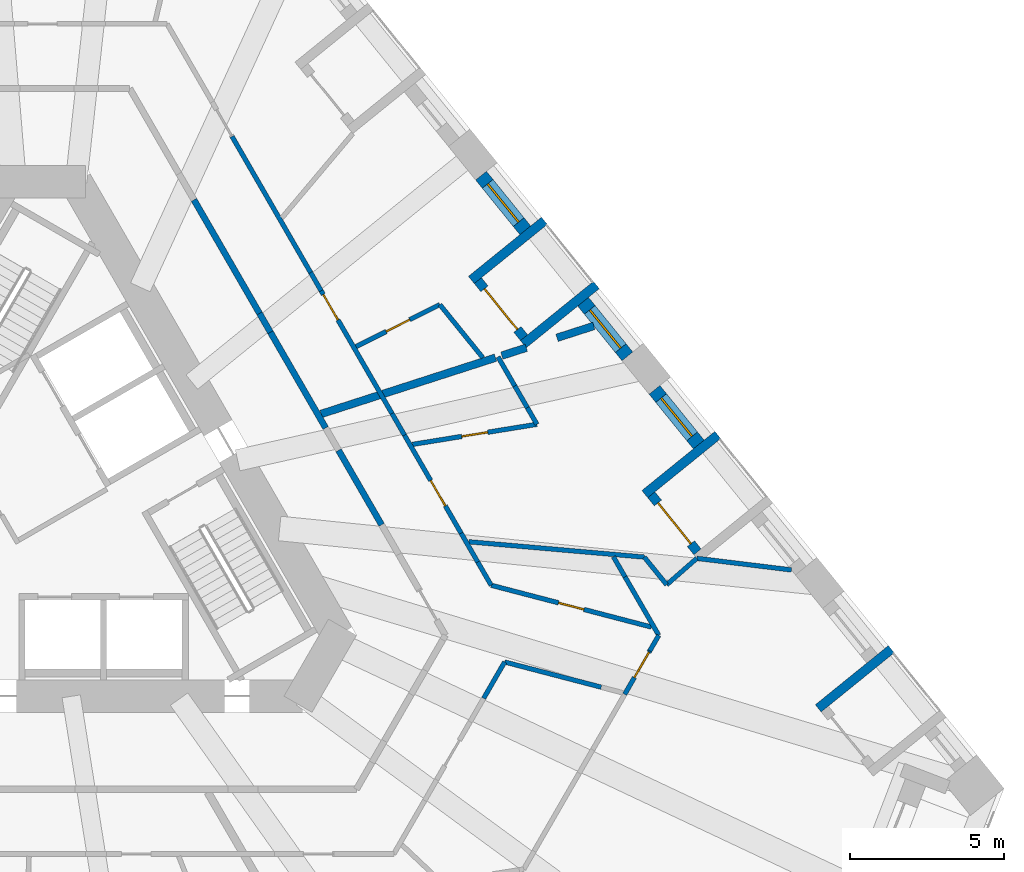
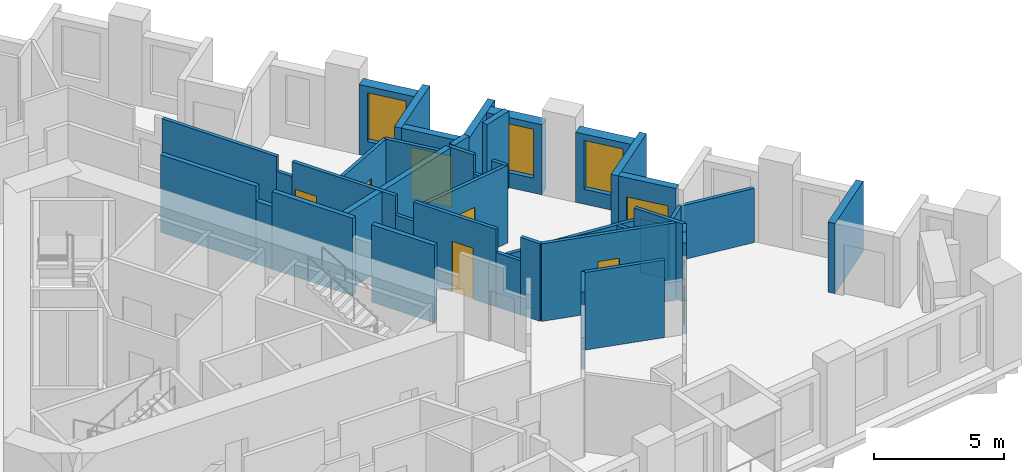
# One storey, part 7 of 14: 40 walls, 8 doors, 3 windows, 11 openings.
"""IFC4 building model written with IfcOpenShell, lengths in metres."""

from ifc_helpers import new_model, si_unit, direction, frame, frame_2d, origin, place, context, subcontext, project, spatial, polyline, rectangle, outline, extrude, material, layer, layer_set, type_object, element, fill, save


model = new_model("IFC4")

# Units and contexts
model_context = context("Model", 3, precision=1e-05, world=origin(), true_north=direction((0.0, 1.0)))
body_context = subcontext(model_context, "Body", "Model", "MODEL_VIEW")
ifc_project = project(units=[si_unit("LENGTHUNIT", "METRE"), si_unit("AREAUNIT", "SQUARE_METRE"), si_unit("VOLUMEUNIT", "CUBIC_METRE"), si_unit("PLANEANGLEUNIT", "RADIAN"), si_unit("MASSUNIT", "GRAM", prefix="KILO")], contexts=[model_context])

# Site, building, storey
site_placement = place(None, origin())
site = spatial("IfcSite", under=ifc_project, at=site_placement, CompositionType="ELEMENT")
building_placement = place(site_placement, origin())
building = spatial("IfcBuilding", under=site, at=building_placement, Name="Tramontana Tower", CompositionType="ELEMENT")
storey_placement = place(building_placement, frame((0.0, 0.0, 79.199951171875)))
storey = spatial("IfcBuildingStorey", under=building, at=storey_placement, Name="L17", CompositionType="ELEMENT", Elevation=79.199951171875)

# Walls
ifc_material_1 = material(Name="Blockwork", Category="masonry")
ifc_layer_1 = layer(ifc_material_1, 0.199951171875)
ifc_layer_set_1 = layer_set([ifc_layer_1], Name="ENTRY WALL 200")
wall_type_1 = type_object("IfcWallType", Name="ENTRY WALL 200", PredefinedType="SOLIDWALL", material=ifc_layer_set_1)
wall_1_placement = place(storey_placement, frame((4.97265625, 9.88720703125, 0.0), z_axis=(0.0, 0.0, 1.0), x_axis=(0.500000470374, -0.866025132214, 0.0)))
element("IfcWall", 1, at=wall_1_placement, inside=storey, type_object=wall_type_1, Name="Wall v12-ew0-2", PredefinedType="SOLIDWALL", context=body_context, shape_type="SweptSolid", body=[
    extrude(rectangle(XDim=4.2568359375, YDim=0.199951171875, at=frame_2d((2.12841796875, 0.0))), origin(), (0.0, 0.0, 1.0), 3.650146484375),
])
wall_2_placement = place(storey_placement, frame((7.10107421875, 6.20068359375, 0.0), z_axis=(0.0, 0.0, 1.0), x_axis=(0.499881507708, -0.866093804534, 0.0)))
element("IfcWall", 2, at=wall_2_placement, inside=storey, type_object=wall_type_1, Name="Wall v12-ew0-3", PredefinedType="SOLIDWALL", context=body_context, shape_type="SweptSolid", body=[
    extrude(rectangle(XDim=0.708740234375, YDim=0.199951171875, at=frame_2d((0.3544921875, 0.0))), origin(), (0.0, 0.0, 1.0), 2.949951171875),
])
wall_3_placement = place(storey_placement, frame((7.455322265625, 5.5869140625, 0.0), z_axis=(0.0, 0.0, 1.0), x_axis=(0.500013241293, -0.866017758786, 0.0)))
element("IfcWall", 3, at=wall_3_placement, inside=storey, type_object=wall_type_1, Name="Wall v12-ew0-4", PredefinedType="SOLIDWALL", context=body_context, shape_type="SweptSolid", body=[
    extrude(rectangle(XDim=3.58544921875, YDim=0.199951171875, at=frame_2d((1.792724609375, 0.0))), origin(), (0.0, 0.0, 1.0), 3.650146484375),
])
wall_4_placement = place(storey_placement, frame((9.667236328125, 1.756103515625, 0.0), z_axis=(0.0, 0.0, 1.0), x_axis=(0.499964529649, -0.866045881633, 0.0)))
element("IfcWall", 4, at=wall_4_placement, inside=storey, type_object=wall_type_1, Name="Wall v12-ew0-6", PredefinedType="SOLIDWALL", context=body_context, shape_type="SweptSolid", body=[
    extrude(rectangle(XDim=2.793701171875, YDim=0.199951171875, at=frame_2d((1.39697265625, 0.0))), origin(), (0.0, 0.0, 1.0), 3.650146484375),
])

# Wall, opening, window
ifc_material_2 = material(Name="Precast concrete 60 MPa", Category="concrete")
ifc_layer_2 = layer(ifc_material_2, 0.449951171875)
ifc_layer_set_2 = layer_set([ifc_layer_2], Name="Precast concrete 60 MPa, 450 mm")
wall_type_2 = type_object("IfcWallType", Name="EW1 Stone-faced precast wall 450", PredefinedType="SOLIDWALL", material=ifc_layer_set_2)
wall_5_placement = place(storey_placement, frame((21.361572265625, 1.94482421875, 0.0), z_axis=(0.0, 0.0, 1.0), x_axis=(-0.629339730135, 0.777130300576, 0.0)))
wall_5 = element("IfcWall", 5, at=wall_5_placement, inside=storey, type_object=wall_type_2, Name="External wall L17 face 2 bay 2", PredefinedType="SOLIDWALL", context=body_context, shape_type="SweptSolid", body=[
    extrude(rectangle(XDim=2.282958984375, YDim=0.449951171875, at=frame_2d((1.1416015625, 0.0))), origin(), (0.0, 0.0, 1.0), 3.300048828125),
])
opening_1_placement = place(wall_5_placement, frame((0.341552734375, 0.0, 0.699951171875)))
opening_1 = element("IfcOpeningElement", 6, at=opening_1_placement, cuts=wall_5, Name="Opening M1", PredefinedType="OPENING", context=body_context, shape_type="SweptSolid", body=[
    extrude(rectangle(XDim=1.60009765625, YDim=2.300048828125, at=frame_2d((0.800048828125, 1.14990234375))), frame((0.0, 0.23486328125, 0.0), z_axis=(0.0, -1.0, 0.0), x_axis=(1.0, 0.0, 0.0)), (0.0, 0.0, 1.0), 0.469970703125),
])
ifc_material_3 = material(Name="Aluminum frame, double glazing unit", Category="aluminium")
window_type = type_object("IfcWindowType", Name="M1 Window 1.6 x 2.3", PartitioningType="SINGLE_PANEL", PredefinedType="WINDOW", material=ifc_material_3)
window_1_placement = place(opening_1_placement, origin())
window_1 = element("IfcWindow", 7, at=window_1_placement, inside=storey, type_object=window_type, Name="Window M1 L17 face 2 module 6", OverallHeight=2.300048828125, OverallWidth=1.60009765625, PartitioningType="SINGLE_PANEL", PredefinedType="WINDOW", context=body_context, shape_type="SweptSolid", body=[
    extrude(rectangle(XDim=1.60009765625, YDim=2.300048828125, at=frame_2d((0.800048828125, 1.14990234375))), frame((0.0, 0.030029296875, 0.0), z_axis=(0.0, -1.0, 0.0), x_axis=(1.0, 0.0, 0.0)), (0.0, 0.0, 1.0), 0.06005859375),
])
fill(opening_1, window_1)

wall_6_placement = place(storey_placement, frame((19.0439453125, 4.80712890625, 0.0), z_axis=(0.0, 0.0, 1.0), x_axis=(-0.629339730135, 0.777130300576, 0.0)))
wall_6 = element("IfcWall", 8, at=wall_6_placement, inside=storey, type_object=wall_type_2, Name="External wall L17 face 2 bay 3", PredefinedType="SOLIDWALL", context=body_context, shape_type="SweptSolid", body=[
    extrude(rectangle(XDim=2.282958984375, YDim=0.449951171875, at=frame_2d((1.1416015625, 0.0))), origin(), (0.0, 0.0, 1.0), 3.300048828125),
])
opening_2_placement = place(wall_6_placement, frame((0.341552734375, 0.0, 0.699951171875)))
opening_2 = element("IfcOpeningElement", 9, at=opening_2_placement, cuts=wall_6, Name="Opening M1", PredefinedType="OPENING", context=body_context, shape_type="SweptSolid", body=[
    extrude(rectangle(XDim=1.60009765625, YDim=2.300048828125, at=frame_2d((0.800048828125, 1.14990234375))), frame((0.0, 0.23486328125, 0.0), z_axis=(0.0, -1.0, 0.0), x_axis=(1.0, 0.0, 0.0)), (0.0, 0.0, 1.0), 0.469970703125),
])
window_2_placement = place(opening_2_placement, origin())
window_2 = element("IfcWindow", 10, at=window_2_placement, inside=storey, type_object=window_type, Name="Window M1 L17 face 2 module 7", OverallHeight=2.300048828125, OverallWidth=1.60009765625, PartitioningType="SINGLE_PANEL", PredefinedType="WINDOW", context=body_context, shape_type="SweptSolid", body=[
    extrude(rectangle(XDim=1.60009765625, YDim=2.300048828125, at=frame_2d((0.800048828125, 1.14990234375))), frame((0.0, 0.030029296875, 0.0), z_axis=(0.0, -1.0, 0.0), x_axis=(1.0, 0.0, 0.0)), (0.0, 0.0, 1.0), 0.06005859375),
])
fill(opening_2, window_2)

wall_7_placement = place(storey_placement, frame((15.72998046875, 8.8994140625, 0.0), z_axis=(0.0, 0.0, 1.0), x_axis=(-0.629339730135, 0.777130300576, 0.0)))
wall_7 = element("IfcWall", 11, at=wall_7_placement, inside=storey, type_object=wall_type_2, Name="External wall L17 face 2 bay 3", PredefinedType="SOLIDWALL", context=body_context, shape_type="SweptSolid", body=[
    extrude(rectangle(XDim=2.282958984375, YDim=0.449951171875, at=frame_2d((1.1416015625, 0.0))), origin(), (0.0, 0.0, 1.0), 3.300048828125),
])
opening_3_placement = place(wall_7_placement, frame((0.341552734375, 0.0, 0.699951171875)))
opening_3 = element("IfcOpeningElement", 12, at=opening_3_placement, cuts=wall_7, Name="Opening M1", PredefinedType="OPENING", context=body_context, shape_type="SweptSolid", body=[
    extrude(rectangle(XDim=1.60009765625, YDim=2.300048828125, at=frame_2d((0.800048828125, 1.14990234375))), frame((0.0, 0.23486328125, 0.0), z_axis=(0.0, -1.0, 0.0), x_axis=(1.0, 0.0, 0.0)), (0.0, 0.0, 1.0), 0.469970703125),
])
window_3_placement = place(opening_3_placement, origin())
window_3 = element("IfcWindow", 13, at=window_3_placement, inside=storey, type_object=window_type, Name="Window M1 L17 face 2 module 9", OverallHeight=2.300048828125, OverallWidth=1.60009765625, PartitioningType="SINGLE_PANEL", PredefinedType="WINDOW", context=body_context, shape_type="SweptSolid", body=[
    extrude(rectangle(XDim=1.60009765625, YDim=2.300048828125, at=frame_2d((0.800048828125, 1.14990234375))), frame((0.0, 0.030029296875, 0.0), z_axis=(0.0, -1.0, 0.0), x_axis=(1.0, 0.0, 0.0)), (0.0, 0.0, 1.0), 0.06005859375),
])
fill(opening_3, window_3)

# Wall
ifc_material_4 = material(Name="Precast concrete 60 MPa", Category="concrete")
ifc_layer_3 = layer(ifc_material_4, 0.300048828125)
ifc_layer_set_3 = layer_set([ifc_layer_3], Name="LW1 Stone-faced loggia wall 300")
wall_type_3 = type_object("IfcWallType", Name="LW1 Stone-faced loggia wall 300", PredefinedType="SOLIDWALL", material=ifc_layer_set_3)
wall_8_placement = place(storey_placement, frame((27.6123046875, -4.70166015625, 0.0), z_axis=(0.0, 0.0, 1.0), x_axis=(-0.777153523895, -0.629311052102, 0.0)))
element("IfcWall", 14, at=wall_8_placement, inside=storey, type_object=wall_type_3, Name="Loggia return L17 G1S2.1b", PredefinedType="SOLIDWALL", context=body_context, shape_type="SweptSolid", body=[
    extrude(rectangle(XDim=3.050048828125, YDim=0.300048828125, at=frame_2d((1.52490234375, 0.0))), origin(), (0.0, 0.0, 1.0), 3.300048828125),
])

# Wall, opening, door
wall_9_placement = place(storey_placement, frame((21.32080078125, -1.54052734375, 0.0), z_axis=(0.0, 0.0, 1.0), x_axis=(-0.629257171563, 0.777197151331, 0.0)))
wall_9 = element("IfcWall", 15, at=wall_9_placement, inside=storey, type_object=wall_type_3, Name="Loggia wall L17 G1S2.4", PredefinedType="SOLIDWALL", context=body_context, shape_type="SweptSolid", body=[
    extrude(rectangle(XDim=2.383056640625, YDim=0.300048828125, at=frame_2d((1.19140625, 0.0))), origin(), (0.0, 0.0, 1.0), 3.300048828125),
])
opening_4_placement = place(wall_9_placement, frame((0.341552734375, 0.0, 0.0)))
opening_4 = element("IfcOpeningElement", 16, at=opening_4_placement, cuts=wall_9, Name="Opening BD-1S2-04", PredefinedType="OPENING", context=body_context, shape_type="SweptSolid", body=[
    extrude(rectangle(XDim=1.699951171875, YDim=2.39990234375, at=frame_2d((0.85009765625, 1.199951171875))), frame((0.0, 0.159912109375, 0.0), z_axis=(0.0, -1.0, 0.0), x_axis=(1.0, 0.0, 0.0)), (0.0, 0.0, 1.0), 0.320068359375),
])
ifc_material_5 = material(Name="Aluminum frame, double glazing unit", Category="aluminium")
door_type_1 = type_object("IfcDoorType", Name="BD1 Sliding door 1.7 x 2.4", OperationType="SLIDING_TO_LEFT", PredefinedType="DOOR", material=ifc_material_5)
door_1_placement = place(opening_4_placement, origin())
door_1 = element("IfcDoor", 17, at=door_1_placement, inside=storey, type_object=door_type_1, Name="Loggia door L17 G1S2.4", OperationType="SLIDING_TO_LEFT", OverallHeight=2.39990234375, OverallWidth=1.699951171875, PredefinedType="DOOR", context=body_context, shape_type="SweptSolid", body=[
    extrude(rectangle(XDim=1.699951171875, YDim=2.39990234375, at=frame_2d((0.85009765625, 1.199951171875))), frame((0.0, 0.02490234375, 0.0), z_axis=(0.0, -1.0, 0.0), x_axis=(1.0, 0.0, 0.0)), (0.0, 0.0, 1.0), 0.050048828125),
])
fill(opening_4, door_1)

# Wall
wall_10_placement = place(storey_placement, frame((21.98046875, 2.2529296875, 0.0), z_axis=(0.0, 0.0, 1.0), x_axis=(-0.777121820661, -0.629350201281, 0.0)))
element("IfcWall", 18, at=wall_10_placement, inside=storey, type_object=wall_type_3, Name="Loggia return L17 G1S2.4b", PredefinedType="SOLIDWALL", context=body_context, shape_type="SweptSolid", body=[
    extrude(rectangle(XDim=3.0498046875, YDim=0.300048828125, at=frame_2d((1.52490234375, 0.0))), origin(), (0.0, 0.0, 1.0), 3.300048828125),
])

# Wall, opening, door
wall_11_placement = place(storey_placement, frame((15.689208984375, 5.4140625, 0.0), z_axis=(0.0, 0.0, 1.0), x_axis=(-0.629319049918, 0.777147047482, 0.0)))
wall_11 = element("IfcWall", 19, at=wall_11_placement, inside=storey, type_object=wall_type_3, Name="Loggia wall L17 G1S2.7", PredefinedType="SOLIDWALL", context=body_context, shape_type="SweptSolid", body=[
    extrude(rectangle(XDim=2.383056640625, YDim=0.300048828125, at=frame_2d((1.19140625, 0.0))), origin(), (0.0, 0.0, 1.0), 3.300048828125),
])
opening_5_placement = place(wall_11_placement, frame((0.341552734375, 0.0, 0.0)))
opening_5 = element("IfcOpeningElement", 20, at=opening_5_placement, cuts=wall_11, Name="Opening BD-1S2-07", PredefinedType="OPENING", context=body_context, shape_type="SweptSolid", body=[
    extrude(rectangle(XDim=1.699951171875, YDim=2.39990234375, at=frame_2d((0.85009765625, 1.199951171875))), frame((0.0, 0.159912109375, 0.0), z_axis=(0.0, -1.0, 0.0), x_axis=(1.0, 0.0, 0.0)), (0.0, 0.0, 1.0), 0.320068359375),
])
door_2_placement = place(opening_5_placement, origin())
door_2 = element("IfcDoor", 21, at=door_2_placement, inside=storey, type_object=door_type_1, Name="Loggia door L17 G1S2.7", OperationType="SLIDING_TO_LEFT", OverallHeight=2.39990234375, OverallWidth=1.699951171875, PredefinedType="DOOR", context=body_context, shape_type="SweptSolid", body=[
    extrude(rectangle(XDim=1.699951171875, YDim=2.39990234375, at=frame_2d((0.85009765625, 1.199951171875))), frame((0.0, 0.02490234375, 0.0), z_axis=(0.0, -1.0, 0.0), x_axis=(1.0, 0.0, 0.0)), (0.0, 0.0, 1.0), 0.050048828125),
])
fill(opening_5, door_2)

# Walls
for number, where, z_axis, x_axis, name in (
    (22, (18.037353515625, 7.12255859375, 0.0), (0.0, 0.0, 1.0), (-0.777153523895, -0.629311052102, 0.0), "Loggia return L17 G1S2.7a"),
    (23, (16.348876953125, 9.207763671875, 0.0), (0.0, 0.0, 1.0), (-0.777153523895, -0.629311052102, 0.0), "Loggia return L17 G1S2.7b"),
):
    element("IfcWall", number, at=place(storey_placement, frame(where, z_axis=z_axis, x_axis=x_axis)), inside=storey, type_object=wall_type_3, Name=name, PredefinedType="SOLIDWALL", context=body_context, shape_type="SweptSolid", body=[
        extrude(rectangle(XDim=3.050048828125, YDim=0.300048828125, at=frame_2d((1.52490234375, 0.0))), origin(), (0.0, 0.0, 1.0), 3.300048828125),
    ])
ifc_material_6 = material(Name="Gypsum board partition")
ifc_layer_4 = layer(ifc_material_6, 0.14990234375)
ifc_layer_set_4 = layer_set([ifc_layer_4], Name="PARTITION 150")
wall_type_4 = type_object("IfcWallType", Name="PARTITION 150", PredefinedType="PARTITIONING", material=ifc_layer_set_4)
wall_12_placement = place(storey_placement, frame((6.208740234375, 11.946044921875, 0.0), z_axis=(0.0, 0.0, 1.0), x_axis=(0.500024842346, -0.866011060574, 0.0)))
element("IfcWall", 24, at=wall_12_placement, inside=storey, type_object=wall_type_4, Name="Wall v12-pw26-2", PredefinedType="PARTITIONING", context=body_context, shape_type="SweptSolid", body=[
    extrude(rectangle(XDim=5.101806640625, YDim=0.14990234375, at=frame_2d((2.55078125, 0.0))), origin(), (0.0, 0.0, 1.0), 3.650146484375),
])
wall_13_placement = place(storey_placement, frame((8.759765625, 7.52783203125, 0.0), z_axis=(0.0, 0.0, 1.0), x_axis=(0.499712146016, -0.866191532586, 0.0)))
element("IfcWall", 25, at=wall_13_placement, inside=storey, type_object=wall_type_4, Name="Wall v12-pw26-3", PredefinedType="PARTITIONING", context=body_context, shape_type="SweptSolid", body=[
    extrude(rectangle(XDim=0.68359375, YDim=0.14990234375, at=frame_2d((0.341796875, 0.0))), origin(), (0.0, 0.0, 1.0), 2.949951171875),
])

# Wall, opening, door
wall_14_placement = place(storey_placement, frame((9.101318359375, 6.935791015625, 0.0), z_axis=(0.0, 0.0, 1.0), x_axis=(0.500008794324, -0.866020326319, 0.0)))
wall_14 = element("IfcWall", 26, at=wall_14_placement, inside=storey, type_object=wall_type_4, Name="Wall v12-pw26-4", PredefinedType="PARTITIONING", context=body_context, shape_type="SweptSolid", body=[
    extrude(rectangle(XDim=4.6005859375, YDim=0.14990234375, at=frame_2d((2.30029296875, 0.0))), origin(), (0.0, 0.0, 1.0), 3.650146484375),
])
opening_6_placement = place(wall_14_placement, frame((0.139892578125, 0.0, 0.0)))
opening_6 = element("IfcOpeningElement", 27, at=opening_6_placement, cuts=wall_14, Name="Opening B1C-05", PredefinedType="OPENING", context=body_context, shape_type="SweptSolid", body=[
    extrude(rectangle(XDim=0.949951171875, YDim=2.39990234375, at=frame_2d((0.47509765625, 1.199951171875))), frame((0.0, 0.0849609375, 0.0), z_axis=(0.0, -1.0, 0.0), x_axis=(1.0, 0.0, 0.0)), (0.0, 0.0, 1.0), 0.169921875),
])
ifc_material_7 = material(Name="Painted timber", Category="wood")
door_type_2 = type_object("IfcDoorType", Name="DOOR ROOM 950", OperationType="SINGLE_SWING_LEFT", PredefinedType="DOOR", material=ifc_material_7)
door_3_placement = place(opening_6_placement, origin())
door_3 = element("IfcDoor", 28, at=door_3_placement, inside=storey, type_object=door_type_2, Name="Door B1C-05", OperationType="SINGLE_SWING_LEFT", OverallHeight=2.39990234375, OverallWidth=0.949951171875, PredefinedType="DOOR", context=body_context, shape_type="SweptSolid", body=[
    extrude(rectangle(XDim=0.949951171875, YDim=2.39990234375, at=frame_2d((0.47509765625, 1.199951171875))), frame((0.0, 0.02490234375, 0.0), z_axis=(0.0, -1.0, 0.0), x_axis=(1.0, 0.0, 0.0)), (0.0, 0.0, 1.0), 0.050048828125),
])
fill(opening_6, door_3)

# Wall
wall_15_placement = place(storey_placement, frame((11.401611328125, 2.95166015625, 0.0), z_axis=(0.0, 0.0, 1.0), x_axis=(0.500147393723, -0.865940289253, 0.0)))
element("IfcWall", 29, at=wall_15_placement, inside=storey, type_object=wall_type_4, Name="Wall v12-pw26-5", PredefinedType="PARTITIONING", context=body_context, shape_type="SweptSolid", body=[
    extrude(rectangle(XDim=0.812255859375, YDim=0.14990234375, at=frame_2d((0.40625, 0.0))), origin(), (0.0, 0.0, 1.0), 2.75),
])

# Wall, opening, door
wall_16_placement = place(storey_placement, frame((11.807861328125, 2.248291015625, 0.0), z_axis=(0.0, 0.0, 1.0), x_axis=(0.500002145574, -0.866024165033, 0.0)))
wall_16 = element("IfcWall", 30, at=wall_16_placement, inside=storey, type_object=wall_type_4, Name="Wall v12-pw26-6", PredefinedType="PARTITIONING", context=body_context, shape_type="SweptSolid", body=[
    extrude(rectangle(XDim=3.67724609375, YDim=0.14990234375, at=frame_2d((1.838623046875, 0.0))), origin(), (0.0, 0.0, 1.0), 3.650146484375),
])
opening_7_placement = place(wall_16_placement, frame((1.69970703125, 0.0, 0.0)))
opening_7 = element("IfcOpeningElement", 31, at=opening_7_placement, cuts=wall_16, Name="Opening B1C-22", PredefinedType="OPENING", context=body_context, shape_type="SweptSolid", body=[
    extrude(rectangle(XDim=0.949951171875, YDim=2.39990234375, at=frame_2d((0.47509765625, 1.199951171875))), frame((0.0, 0.0849609375, 0.0), z_axis=(0.0, -1.0, 0.0), x_axis=(1.0, 0.0, 0.0)), (0.0, 0.0, 1.0), 0.169921875),
])
door_4_placement = place(opening_7_placement, origin())
door_4 = element("IfcDoor", 32, at=door_4_placement, inside=storey, type_object=door_type_2, Name="Door B1C-22", OperationType="SINGLE_SWING_RIGHT", OverallHeight=2.39990234375, OverallWidth=0.949951171875, PredefinedType="DOOR", context=body_context, shape_type="SweptSolid", body=[
    extrude(rectangle(XDim=0.949951171875, YDim=2.39990234375, at=frame_2d((0.47509765625, 1.199951171875))), frame((0.0, 0.02490234375, 0.0), z_axis=(0.0, -1.0, 0.0), x_axis=(1.0, 0.0, 0.0)), (0.0, 0.0, 1.0), 0.050048828125),
])
fill(opening_7, door_4)

# Walls
wall_17_placement = place(storey_placement, frame((13.646484375, -0.936279296875, 0.0), z_axis=(0.0, 0.0, 1.0), x_axis=(0.499938053331, -0.866061165757, 0.0)))
element("IfcWall", 33, at=wall_17_placement, inside=storey, type_object=wall_type_4, Name="Wall v12-pw26-7", PredefinedType="PARTITIONING", context=body_context, shape_type="SweptSolid", body=[
    extrude(rectangle(XDim=1.078369140625, YDim=0.14990234375, at=frame_2d((0.5390625, 0.0))), origin(), (0.0, 0.0, 1.0), 2.550048828125),
])
wall_18_placement = place(storey_placement, frame((14.185546875, -1.8701171875, 0.0), z_axis=(0.0, 0.0, 1.0), x_axis=(0.500053675867, -0.86599441179, 0.0)))
element("IfcWall", 34, at=wall_18_placement, inside=storey, type_object=wall_type_4, Name="Wall v12-pw26-8", PredefinedType="PARTITIONING", context=body_context, shape_type="SweptSolid", body=[
    extrude(rectangle(XDim=0.8720703125, YDim=0.14990234375, at=frame_2d((0.43603515625, 0.0))), origin(), (0.0, 0.0, 1.0), 3.650146484375),
])

# Wall, opening, door
wall_19_placement = place(storey_placement, frame((12.9541015625, 6.487060546875, 0.0), z_axis=(0.0, 0.0, 1.0), x_axis=(-0.89415419639, -0.447759168613, 0.0)))
wall_19 = element("IfcWall", 35, at=wall_19_placement, inside=storey, type_object=wall_type_4, Name="Wall v12-pw33", PredefinedType="PARTITIONING", context=body_context, shape_type="SweptSolid", body=[
    extrude(rectangle(XDim=3.04248046875, YDim=0.14990234375, at=frame_2d((1.521240234375, 0.0))), origin(), (0.0, 0.0, 1.0), 3.650146484375),
])
opening_8_placement = place(wall_19_placement, frame((1.09619140625, 0.0, 0.0)))
opening_8 = element("IfcOpeningElement", 36, at=opening_8_placement, cuts=wall_19, Name="Opening B1C-07", PredefinedType="OPENING", context=body_context, shape_type="SweptSolid", body=[
    extrude(rectangle(XDim=0.85009765625, YDim=2.39990234375, at=frame_2d((0.425048828125, 1.199951171875))), frame((0.0, 0.0849609375, 0.0), z_axis=(0.0, -1.0, 0.0), x_axis=(1.0, 0.0, 0.0)), (0.0, 0.0, 1.0), 0.169921875),
])
ifc_material_8 = material(Name="Painted timber", Category="wood")
door_type_3 = type_object("IfcDoorType", Name="DOOR BATH 850", OperationType="SINGLE_SWING_LEFT", PredefinedType="DOOR", material=ifc_material_8)
door_5_placement = place(opening_8_placement, origin())
door_5 = element("IfcDoor", 37, at=door_5_placement, inside=storey, type_object=door_type_3, Name="Door B1C-07", OperationType="SINGLE_SWING_LEFT", OverallHeight=2.39990234375, OverallWidth=0.85009765625, PredefinedType="DOOR", context=body_context, shape_type="SweptSolid", body=[
    extrude(rectangle(XDim=0.85009765625, YDim=2.39990234375, at=frame_2d((0.425048828125, 1.199951171875))), frame((0.0, 0.02490234375, 0.0), z_axis=(0.0, -1.0, 0.0), x_axis=(1.0, 0.0, 0.0)), (0.0, 0.0, 1.0), 0.050048828125),
])
fill(opening_8, door_5)

# Walls
wall_20_placement = place(storey_placement, frame((12.954345703125, 6.487060546875, 0.0), z_axis=(0.0, 0.0, 1.0), x_axis=(0.629286855042, -0.777173117182, 0.0)))
element("IfcWall", 38, at=wall_20_placement, inside=storey, type_object=wall_type_4, Name="Wall v12-pw35", PredefinedType="PARTITIONING", context=body_context, shape_type="SweptSolid", body=[
    extrude(rectangle(XDim=2.21875, YDim=0.14990234375, at=frame_2d((1.109375, 0.0))), origin(), (0.0, 0.0, 1.0), 3.650146484375),
])
wall_21_placement = place(storey_placement, frame((13.892822265625, -1.213134765625, 0.0), z_axis=(0.0, 0.0, 1.0), x_axis=(0.996208015501, -0.087003389883, 0.0)))
element("IfcWall", 39, at=wall_21_placement, inside=storey, type_object=wall_type_4, Name="Wall v12-pw36-0", PredefinedType="PARTITIONING", context=body_context, shape_type="SweptSolid", body=[
    extrude(rectangle(XDim=5.7216796875, YDim=0.14990234375, at=frame_2d((2.86083984375, 0.0))), origin(), (0.0, 0.0, 1.0), 2.550048828125),
])

# Wall, opening, door
wall_22_placement = place(storey_placement, frame((14.62158203125, -2.625244140625, 0.0), z_axis=(0.0, 0.0, 1.0), x_axis=(0.967617272397, -0.252421897147, 0.0)))
wall_22 = element("IfcWall", 40, at=wall_22_placement, inside=storey, type_object=wall_type_4, Name="Wall v12-pw39", PredefinedType="PARTITIONING", context=body_context, shape_type="SweptSolid", body=[
    extrude(rectangle(XDim=5.373779296875, YDim=0.14990234375, at=frame_2d((2.68701171875, 0.0))), origin(), (0.0, 0.0, 1.0), 3.650146484375),
])
opening_9_placement = place(wall_22_placement, frame((2.261962890625, 0.0, 0.0)))
opening_9 = element("IfcOpeningElement", 41, at=opening_9_placement, cuts=wall_22, Name="Opening B1C-19", PredefinedType="OPENING", context=body_context, shape_type="SweptSolid", body=[
    extrude(rectangle(XDim=0.85009765625, YDim=2.39990234375, at=frame_2d((0.425048828125, 1.199951171875))), frame((0.0, 0.0849609375, 0.0), z_axis=(0.0, -1.0, 0.0), x_axis=(1.0, 0.0, 0.0)), (0.0, 0.0, 1.0), 0.169921875),
])
door_6_placement = place(opening_9_placement, origin())
door_6 = element("IfcDoor", 42, at=door_6_placement, inside=storey, type_object=door_type_3, Name="Door B1C-19", OperationType="SINGLE_SWING_LEFT", OverallHeight=2.39990234375, OverallWidth=0.85009765625, PredefinedType="DOOR", context=body_context, shape_type="SweptSolid", body=[
    extrude(rectangle(XDim=0.85009765625, YDim=2.39990234375, at=frame_2d((0.425048828125, 1.199951171875))), frame((0.0, 0.02490234375, 0.0), z_axis=(0.0, -1.0, 0.0), x_axis=(1.0, 0.0, 0.0)), (0.0, 0.0, 1.0), 0.050048828125),
])
fill(opening_9, door_6)

# Walls
wall_23_placement = place(storey_placement, frame((14.843505859375, 4.790283203125, 0.0), z_axis=(0.0, 0.0, 1.0), x_axis=(0.499916078468, -0.866073850482, 0.0)))
element("IfcWall", 43, at=wall_23_placement, inside=storey, type_object=wall_type_4, Name="Wall v12-pw41-0", PredefinedType="PARTITIONING", context=body_context, shape_type="SweptSolid", body=[
    extrude(rectangle(XDim=1.091552734375, YDim=0.14990234375, at=frame_2d((0.5458984375, 0.0))), origin(), (0.0, 0.0, 1.0), 3.650146484375),
])
wall_24_placement = place(storey_placement, frame((15.38916015625, 3.844970703125, 0.0), z_axis=(0.0, 0.0, 1.0), x_axis=(0.500052144805, -0.865995295874, 0.0)))
element("IfcWall", 44, at=wall_24_placement, inside=storey, type_object=wall_type_4, Name="Wall v12-pw41-1", PredefinedType="PARTITIONING", context=body_context, shape_type="SweptSolid", body=[
    extrude(rectangle(XDim=0.81201171875, YDim=0.14990234375, at=frame_2d((0.406005859375, 0.0))), origin(), (0.0, 0.0, 1.0), 2.75),
])
wall_25_placement = place(storey_placement, frame((15.795166015625, 3.141845703125, 0.0), z_axis=(0.0, 0.0, 1.0), x_axis=(0.500173430036, -0.86592525075, 0.0)))
element("IfcWall", 45, at=wall_25_placement, inside=storey, type_object=wall_type_4, Name="Wall v12-pw41-2", PredefinedType="PARTITIONING", context=body_context, shape_type="SweptSolid", body=[
    extrude(rectangle(XDim=0.624755859375, YDim=0.14990234375, at=frame_2d((0.3125, 0.0))), origin(), (0.0, 0.0, 1.0), 3.650146484375),
])
wall_26_placement = place(storey_placement, frame((15.060791015625, -5.11376953125, 0.0), z_axis=(0.0, 0.0, 1.0), x_axis=(-0.499985602051, -0.866033716285, 0.0)))
element("IfcWall", 46, at=wall_26_placement, inside=storey, type_object=wall_type_4, Name="Wall v12-pw42-0", PredefinedType="PARTITIONING", context=body_context, shape_type="SweptSolid", body=[
    extrude(rectangle(XDim=1.365234375, YDim=0.14990234375, at=frame_2d((0.6826171875, 0.0))), origin(), (0.0, 0.0, 1.0), 3.650146484375),
])

# Wall, opening, door
wall_27_placement = place(storey_placement, frame((12.067626953125, 1.948486328125, 0.0), z_axis=(0.0, 0.0, 1.0), x_axis=(0.987213273505, 0.159404995577, 0.0)))
wall_27 = element("IfcWall", 47, at=wall_27_placement, inside=storey, type_object=wall_type_4, Name="Wall v12-pw45", PredefinedType="PARTITIONING", context=body_context, shape_type="SweptSolid", body=[
    extrude(rectangle(XDim=4.09228515625, YDim=0.14990234375, at=frame_2d((2.046142578125, 0.0))), origin(), (0.0, 0.0, 1.0), 3.650146484375),
])
opening_10_placement = place(wall_27_placement, frame((1.621337890625, 0.0, 0.0)))
opening_10 = element("IfcOpeningElement", 48, at=opening_10_placement, cuts=wall_27, Name="Opening B1C-23", PredefinedType="OPENING", context=body_context, shape_type="SweptSolid", body=[
    extrude(rectangle(XDim=0.85009765625, YDim=2.39990234375, at=frame_2d((0.425048828125, 1.199951171875))), frame((0.0, 0.0849609375, 0.0), z_axis=(0.0, -1.0, 0.0), x_axis=(1.0, 0.0, 0.0)), (0.0, 0.0, 1.0), 0.169921875),
])
door_7_placement = place(opening_10_placement, origin())
door_7 = element("IfcDoor", 49, at=door_7_placement, inside=storey, type_object=door_type_3, Name="Door B1C-23", OperationType="SINGLE_SWING_LEFT", OverallHeight=2.39990234375, OverallWidth=0.85009765625, PredefinedType="DOOR", context=body_context, shape_type="SweptSolid", body=[
    extrude(rectangle(XDim=0.85009765625, YDim=2.39990234375, at=frame_2d((0.425048828125, 1.199951171875))), frame((0.0, 0.02490234375, 0.0), z_axis=(0.0, -1.0, 0.0), x_axis=(1.0, 0.0, 0.0)), (0.0, 0.0, 1.0), 0.050048828125),
])
fill(opening_10, door_7)

# Walls
wall_28_placement = place(storey_placement, frame((18.58984375, -1.698486328125, 0.0), z_axis=(0.0, 0.0, 1.0), x_axis=(0.500105127418, -0.865964699933, 0.0)))
element("IfcWall", 50, at=wall_28_placement, inside=storey, type_object=wall_type_4, Name="Wall v12-pw47-0", PredefinedType="PARTITIONING", context=body_context, shape_type="SweptSolid", body=[
    extrude(rectangle(XDim=0.754638671875, YDim=0.14990234375, at=frame_2d((0.37744140625, 0.0))), origin(), (0.0, 0.0, 1.0), 2.550048828125),
])
wall_29_placement = place(storey_placement, frame((18.96728515625, -2.35205078125, 0.0), z_axis=(0.0, 0.0, 1.0), x_axis=(0.499973180286, -0.8660408876, 0.0)))
element("IfcWall", 51, at=wall_29_placement, inside=storey, type_object=wall_type_4, Name="Wall v12-pw47-1", PredefinedType="PARTITIONING", context=body_context, shape_type="SweptSolid", body=[
    extrude(rectangle(XDim=2.19140625, YDim=0.14990234375, at=frame_2d((1.095703125, 0.0))), origin(), (0.0, 0.0, 1.0), 3.650146484375),
])
wall_30_placement = place(storey_placement, frame((18.195068359375, -5.934326171875, 0.0), z_axis=(0.0, 0.0, 1.0), x_axis=(-0.96762847199, 0.252378961474, 0.0)))
element("IfcWall", 52, at=wall_30_placement, inside=storey, type_object=wall_type_4, Name="Wall v12-pw48-1", PredefinedType="PARTITIONING", context=body_context, shape_type="SweptSolid", body=[
    extrude(rectangle(XDim=3.24072265625, YDim=0.14990234375, at=frame_2d((1.620361328125, 0.0))), origin(), (0.0, 0.0, 1.0), 3.650146484375),
])
wall_31_placement = place(storey_placement, frame((19.5927734375, -1.7109375, 0.0), z_axis=(0.0, 0.0, 1.0), x_axis=(0.629356548681, -0.777116680192, 0.0)))
element("IfcWall", 53, at=wall_31_placement, inside=storey, type_object=wall_type_4, Name="Wall v12-pw49-0", PredefinedType="PARTITIONING", context=body_context, shape_type="SweptSolid", body=[
    extrude(rectangle(XDim=1.1533203125, YDim=0.14990234375, at=frame_2d((0.57666015625, 0.0))), origin(), (0.0, 0.0, 1.0), 2.550048828125),
])
wall_32_placement = place(storey_placement, frame((20.06298828125, -4.25, 0.0), z_axis=(0.0, 0.0, 1.0), x_axis=(-0.500312357489, -0.865844988981, 0.0)))
element("IfcWall", 54, at=wall_32_placement, inside=storey, type_object=wall_type_4, Name="Wall v12-pw50-0", PredefinedType="PARTITIONING", context=body_context, shape_type="SweptSolid", body=[
    extrude(rectangle(XDim=0.585205078125, YDim=0.14990234375, at=frame_2d((0.29248046875, 0.0))), origin(), (0.0, 0.0, 1.0), 3.650146484375),
])

# Wall, opening, door
wall_33_placement = place(storey_placement, frame((19.770263671875, -4.756591796875, 0.0), z_axis=(0.0, 0.0, 1.0), x_axis=(-0.499952193351, -0.866053003207, 0.0)))
wall_33 = element("IfcWall", 55, at=wall_33_placement, inside=storey, type_object=wall_type_4, Name="Wall v12-pw50-1", PredefinedType="PARTITIONING", context=body_context, shape_type="SweptSolid", body=[
    extrude(outline(polyline([(0.0, 0.0), (1.625244140625, 0.0), (1.625, 2.550048828125), (0.72607421875, 2.550048828125), (0.72607421875, 3.650146484375), (0.0, 3.650146484375), (0.0, 0.0)])), frame((0.0, 0.074951171875, 0.0), z_axis=(0.0, -1.0, 0.0), x_axis=(1.0, 0.0, 0.0)), (0.0, 0.0, 1.0), 0.14990234375),
])
opening_11_placement = place(wall_33_placement, frame((0.050048828125, 0.0, 0.0)))
opening_11 = element("IfcOpeningElement", 56, at=opening_11_placement, cuts=wall_33, Name="Opening B1C-20", PredefinedType="OPENING", context=body_context, shape_type="SweptSolid", body=[
    extrude(rectangle(XDim=0.949951171875, YDim=2.39990234375, at=frame_2d((0.47509765625, 1.199951171875))), frame((0.0, 0.0849609375, 0.0), z_axis=(0.0, -1.0, 0.0), x_axis=(1.0, 0.0, 0.0)), (0.0, 0.0, 1.0), 0.169921875),
])
door_8_placement = place(opening_11_placement, origin())
door_8 = element("IfcDoor", 57, at=door_8_placement, inside=storey, type_object=door_type_2, Name="Door B1C-20", OperationType="SINGLE_SWING_RIGHT", OverallHeight=2.39990234375, OverallWidth=0.949951171875, PredefinedType="DOOR", context=body_context, shape_type="SweptSolid", body=[
    extrude(rectangle(XDim=0.949951171875, YDim=2.39990234375, at=frame_2d((0.47509765625, 1.199951171875))), frame((0.0, 0.02490234375, 0.0), z_axis=(0.0, -1.0, 0.0), x_axis=(1.0, 0.0, 0.0)), (0.0, 0.0, 1.0), 0.050048828125),
])
fill(opening_11, door_8)

# Walls
wall_34_placement = place(storey_placement, frame((20.321533203125, -2.607421875, 0.0), z_axis=(0.0, 0.0, 1.0), x_axis=(0.75226229256, 0.658863751615, 0.0)))
element("IfcWall", 58, at=wall_34_placement, inside=storey, type_object=wall_type_4, Name="Wall v12-pw51-0", PredefinedType="PARTITIONING", context=body_context, shape_type="SweptSolid", body=[
    extrude(rectangle(XDim=1.299072265625, YDim=0.14990234375, at=frame_2d((0.6494140625, 0.0))), origin(), (0.0, 0.0, 1.0), 2.550048828125),
])
wall_35_placement = place(storey_placement, frame((21.298828125, -1.75146484375, 0.0), z_axis=(0.0, 0.0, 1.0), x_axis=(0.992571228933, -0.121664931241, 0.0)))
element("IfcWall", 59, at=wall_35_placement, inside=storey, type_object=wall_type_4, Name="Wall v12-pw52-0", PredefinedType="PARTITIONING", context=body_context, shape_type="SweptSolid", body=[
    extrude(rectangle(XDim=3.09423828125, YDim=0.14990234375, at=frame_2d((1.547119140625, 0.0))), origin(), (0.0, 0.0, 1.0), 2.550048828125),
])
ifc_material_9 = material(Name="Blockwork", Category="masonry")
ifc_layer_5 = layer(ifc_material_9, 0.25)
ifc_layer_set_5 = layer_set([ifc_layer_5], Name="PARTY WALL 250")
wall_type_5 = type_object("IfcWallType", Name="PARTY WALL 250", PredefinedType="SOLIDWALL", material=ifc_layer_set_5)
wall_36_placement = place(storey_placement, frame((14.76220703125, 4.76416015625, 0.0), z_axis=(0.0, 0.0, 1.0), x_axis=(-0.951664512743, -0.307139471878, 0.0)))
element("IfcWall", 60, at=wall_36_placement, inside=storey, type_object=wall_type_5, Name="Wall v12-pw40", PredefinedType="SOLIDWALL", context=body_context, shape_type="SweptSolid", body=[
    extrude(rectangle(XDim=5.948974609375, YDim=0.25, at=frame_2d((2.974609375, 0.0))), origin(), (0.0, 0.0, 1.0), 3.650146484375),
])
wall_37_placement = place(storey_placement, frame((15.761474609375, 5.086669921875, 0.0), z_axis=(0.0, 0.0, 1.0), x_axis=(-0.951658882414, -0.307156916775, 0.0)))
element("IfcWall", 61, at=wall_37_placement, inside=storey, type_object=wall_type_5, Name="Wall v12-pw44", PredefinedType="SOLIDWALL", context=body_context, shape_type="SweptSolid", body=[
    extrude(rectangle(XDim=0.8330078125, YDim=0.25, at=frame_2d((0.41650390625, 0.0))), origin(), (0.0, 0.0, 1.0), 3.650146484375),
])
wall_38_placement = place(storey_placement, frame((17.95458984375, 5.79443359375, 0.0), z_axis=(0.0, 0.0, 1.0), x_axis=(-0.951675595288, -0.307105130749, 0.0)))
element("IfcWall", 62, at=wall_38_placement, inside=storey, type_object=wall_type_5, Name="Wall v12-pw46", PredefinedType="SOLIDWALL", context=body_context, shape_type="SweptSolid", body=[
    extrude(rectangle(XDim=1.25439453125, YDim=0.25, at=frame_2d((0.627197265625, 0.0))), origin(), (0.0, 0.0, 1.0), 3.650146484375),
])

save(model, "model.ifc")
